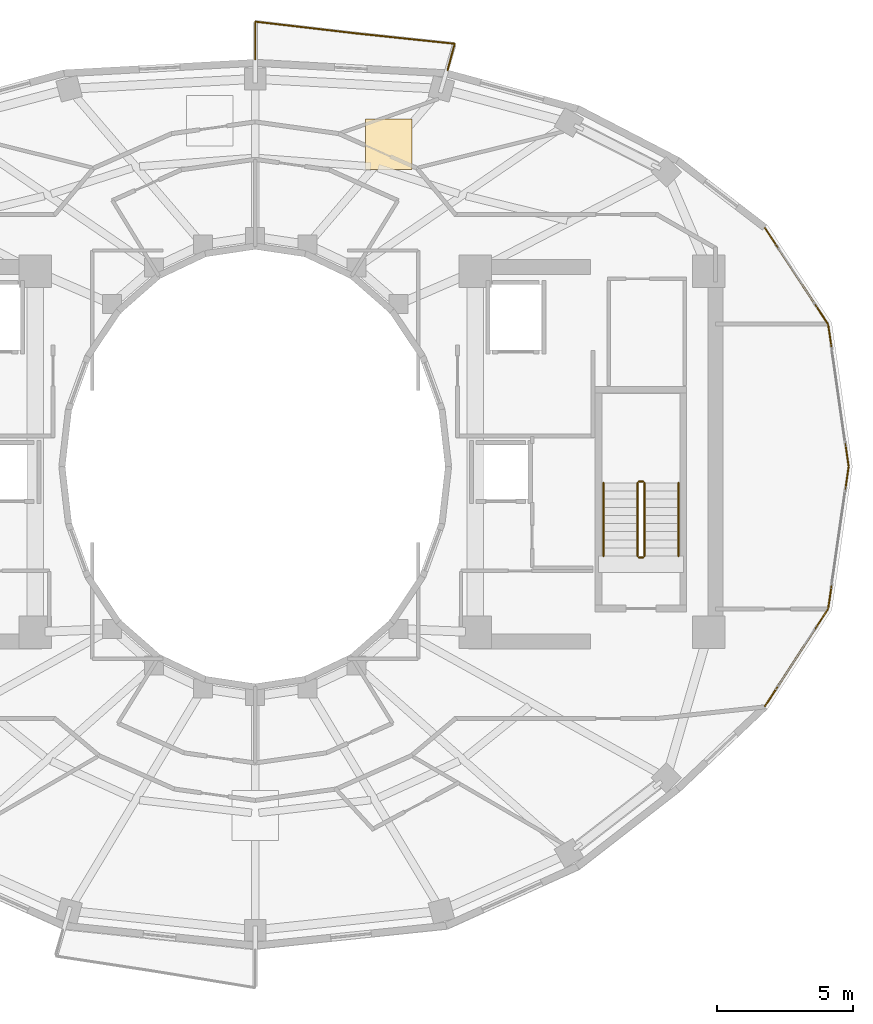
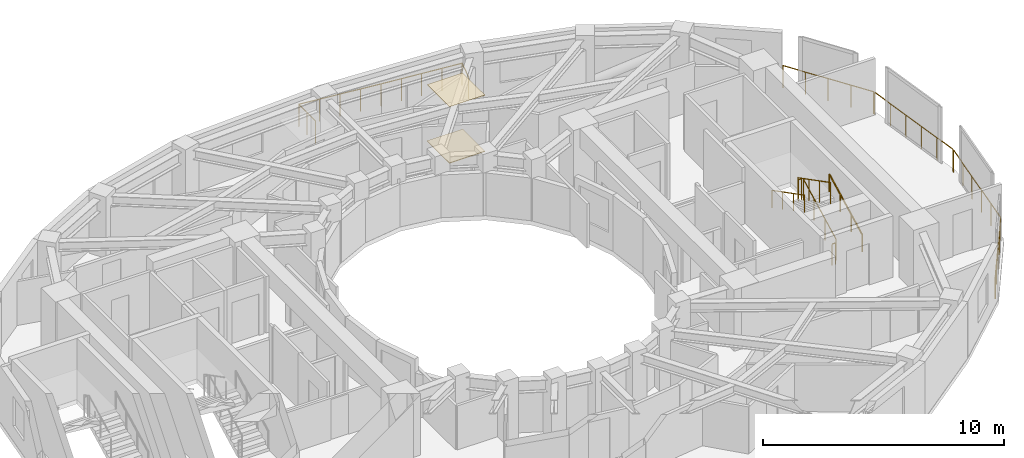
# One storey, part 12 of 12: 11 railings, 2 coverings.
"""IFC4 building model written with IfcOpenShell, lengths in metres."""

from ifc_helpers import new_model, si_unit, direction, frame, origin, origin_2d, place, context, subcontext, project, spatial, polyline, circle, outline, extrude, material, layer, layer_set, type_object, element, save


model = new_model("IFC4")

# Units and contexts
model_context = context("Model", 3, precision=1e-05, world=origin(), true_north=direction((0.0, 1.0)))
body_context = subcontext(model_context, "Body", "Model", "MODEL_VIEW")
ifc_project = project(units=[si_unit("LENGTHUNIT", "METRE"), si_unit("AREAUNIT", "SQUARE_METRE"), si_unit("VOLUMEUNIT", "CUBIC_METRE"), si_unit("PLANEANGLEUNIT", "RADIAN"), si_unit("MASSUNIT", "GRAM", prefix="KILO")], contexts=[model_context])

# Site, building, storey
site_placement = place(None, origin())
site = spatial("IfcSite", under=ifc_project, at=site_placement, CompositionType="ELEMENT")
building_placement = place(site_placement, origin())
building = spatial("IfcBuilding", under=site, at=building_placement, Name="Solvane Sanctuary Tower", CompositionType="ELEMENT")
storey_placement = place(building_placement, frame((0.0, 0.0, 214.0)))
storey = spatial("IfcBuildingStorey", under=building, at=storey_placement, Name="L65", CompositionType="ELEMENT", Elevation=214.0)

# Coverings
ifc_material_1 = material(Name="Acoustic Gypsum Partition Board")
ifc_layer_1 = layer(ifc_material_1, 0.02490234375, Name="Acoustic Gypsum Partition Board")
ifc_layer_set_1 = layer_set([ifc_layer_1], Name="Acoustic Gypsum Partition Board")
covering_type_1 = type_object("IfcCoveringType", Name="Covering CLG-ACOUST", PredefinedType="CEILING", material=ifc_layer_set_1)
covering_1_placement = place(storey_placement, frame((0.0, 0.0, 2.85009765625)))
element("IfcCovering", 1, at=covering_1_placement, inside=storey, type_object=covering_type_1, Name="L65 Unit Acoustic Ceiling Panel 1", PredefinedType="CEILING", context=body_context, shape_type="SweptSolid", body=[
    extrude(outline(polyline([(36.06689453125, 33.947021484375), (37.76708984375, 33.947021484375), (37.76708984375, 35.797119140625), (36.06689453125, 35.797119140625), (36.06689453125, 33.947021484375)])), origin(), (0.0, 0.0, 1.0), 0.02978515625),
])
ifc_material_2 = material(Name="Ceramic Tile Finish")
ifc_layer_2 = layer(ifc_material_2, 0.030029296875, Name="Ceramic Tile Finish")
ifc_layer_set_2 = layer_set([ifc_layer_2], Name="Ceramic Tile Finish")
covering_type_2 = type_object("IfcCoveringType", Name="Covering FLR-TERRAZZO", PredefinedType="FLOORING", material=ifc_layer_set_2)
covering_2_placement = place(storey_placement, origin())
element("IfcCovering", 2, at=covering_2_placement, inside=storey, type_object=covering_type_2, Name="L65 Unit Terrazzo Inlay 1", PredefinedType="FLOORING", context=body_context, shape_type="SweptSolid", body=[
    extrude(outline(polyline([(36.06689453125, 33.947021484375), (37.76708984375, 33.947021484375), (37.76708984375, 35.797119140625), (36.06689453125, 35.797119140625), (36.06689453125, 33.947021484375)])), origin(), (0.0, 0.0, 1.0), 0.034912109375),
])

# Railings
ifc_material_3 = material(Name="Architectural Stainless Steel 316", Category="steel")
railing_type_1 = type_object("IfcRailingType", Name="Railing GR-BALC-1150", PredefinedType="BALUSTRADE", material=ifc_material_3)
railing_1_placement = place(storey_placement, frame((53.855712890625, 23.02978515625, 0.0)))
element("IfcRailing", 3, at=railing_1_placement, inside=storey, type_object=railing_type_1, Name="L65 Curtain-Wall Perimeter Sill Guard 00", PredefinedType="BALUSTRADE", context=body_context, shape_type="SweptSolid", body=[
    extrude(circle(Radius=0.02392578125, at=origin_2d()), frame((0.0, 0.0, 1.1259765625), z_axis=(-0.142721073856, 0.989762948931, 0.0), x_axis=(-0.989762948931, -0.142721073856, 0.0)), (0.0, 0.0, 1.0), 5.232666015625),
    extrude(circle(Radius=0.02099609375, at=origin_2d()), origin(), (0.0, 0.0, 1.0), 1.101806640625),
    extrude(circle(Radius=0.02099609375, at=origin_2d()), frame((-0.1494140625, 1.035888671875, 0.0)), (0.0, 0.0, 1.0), 1.101806640625),
    extrude(circle(Radius=0.02099609375, at=origin_2d()), frame((-0.298828125, 2.07177734375, 0.0)), (0.0, 0.0, 1.0), 1.101806640625),
    extrude(circle(Radius=0.02099609375, at=origin_2d()), frame((-0.447998046875, 3.107421875, 0.0)), (0.0, 0.0, 1.0), 1.101806640625),
    extrude(circle(Radius=0.02099609375, at=origin_2d()), frame((-0.597412109375, 4.143310546875, 0.0)), (0.0, 0.0, 1.0), 1.101806640625),
    extrude(circle(Radius=0.02099609375, at=origin_2d()), frame((-0.746826171875, 5.17919921875, 0.0)), (0.0, 0.0, 1.0), 1.101806640625),
])
railing_2_placement = place(storey_placement, frame((53.088134765625, 28.263916015625, 0.0)))
element("IfcRailing", 4, at=railing_2_placement, inside=storey, type_object=railing_type_1, Name="L65 Curtain-Wall Perimeter Sill Guard 01", PredefinedType="BALUSTRADE", context=body_context, shape_type="SweptSolid", body=[
    extrude(circle(Radius=0.02392578125, at=origin_2d()), frame((0.0, 0.0, 1.1259765625), z_axis=(-0.548785614743, 0.83596312661, 0.0), x_axis=(-0.83596312661, -0.548785614743, 0.0)), (0.0, 0.0, 1.0), 4.210693359375),
    extrude(circle(Radius=0.02099609375, at=origin_2d()), origin(), (0.0, 0.0, 1.0), 1.101806640625),
    extrude(circle(Radius=0.02099609375, at=origin_2d()), frame((-0.57763671875, 0.8798828125, 0.0)), (0.0, 0.0, 1.0), 1.101806640625),
    extrude(circle(Radius=0.02099609375, at=origin_2d()), frame((-1.1552734375, 1.760009765625, 0.0)), (0.0, 0.0, 1.0), 1.101806640625),
    extrude(circle(Radius=0.02099609375, at=origin_2d()), frame((-1.733154296875, 2.64013671875, 0.0)), (0.0, 0.0, 1.0), 1.101806640625),
    extrude(circle(Radius=0.02099609375, at=origin_2d()), frame((-2.310791015625, 3.52001953125, 0.0)), (0.0, 0.0, 1.0), 1.101806640625),
])
railing_3_placement = place(storey_placement, frame((39.088134765625, 37.609375, 0.0)))
element("IfcRailing", 5, at=railing_3_placement, inside=storey, type_object=railing_type_1, Name="L65 Wave Balcony Balustrade NC", PredefinedType="BALUSTRADE", context=body_context, shape_type="SweptSolid", body=[
    extrude(circle(Radius=0.02392578125, at=origin_2d()), frame((0.0, 0.0, 1.1259765625), z_axis=(0.258695421716, 0.965958942597, 0.0), x_axis=(-0.965958942597, 0.258695421716, 0.0)), (0.0, 0.0, 1.0), 1.000244140625),
    extrude(circle(Radius=0.02392578125, at=origin_2d()), frame((0.2587890625, 0.96630859375, 1.1259765625), z_axis=(-0.994513102874, 0.104612084447, 0.0), x_axis=(-0.104612084447, -0.994513102874, 0.0)), (0.0, 0.0, 1.0), 3.671142578125),
    extrude(circle(Radius=0.02392578125, at=origin_2d()), frame((-3.39208984375, 1.350341796875, 1.1259765625), z_axis=(-0.993294945447, 0.115607747796, 0.0), x_axis=(-0.115607747796, -0.993294945447, 0.0)), (0.0, 0.0, 1.0), 3.720947265625),
    extrude(circle(Radius=0.02392578125, at=origin_2d()), frame((-7.088134765625, 1.780517578125, 1.1259765625), z_axis=(0.0, -1.0, 0.0), x_axis=(1.0, 0.0, 0.0)), (0.0, 0.0, 1.0), 1.389892578125),
    extrude(circle(Radius=0.02099609375, at=origin_2d()), origin(), (0.0, 0.0, 1.0), 1.101806640625),
    extrude(circle(Radius=0.02099609375, at=origin_2d()), frame((0.2587890625, 0.96630859375, 0.0)), (0.0, 0.0, 1.0), 1.101806640625),
    extrude(circle(Radius=0.02099609375, at=origin_2d()), frame((-0.65380859375, 1.062255859375, 0.0)), (0.0, 0.0, 1.0), 1.101806640625),
    extrude(circle(Radius=0.02099609375, at=origin_2d()), frame((-1.566650390625, 1.158203125, 0.0)), (0.0, 0.0, 1.0), 1.101806640625),
    extrude(circle(Radius=0.02099609375, at=origin_2d()), frame((-2.4794921875, 1.25439453125, 0.0)), (0.0, 0.0, 1.0), 1.101806640625),
    extrude(circle(Radius=0.02099609375, at=origin_2d()), frame((-3.39208984375, 1.350341796875, 0.0)), (0.0, 0.0, 1.0), 1.101806640625),
    extrude(circle(Radius=0.02099609375, at=origin_2d()), frame((-4.316162109375, 1.4580078125, 0.0)), (0.0, 0.0, 1.0), 1.101806640625),
    extrude(circle(Radius=0.02099609375, at=origin_2d()), frame((-5.240234375, 1.5654296875, 0.0)), (0.0, 0.0, 1.0), 1.101806640625),
    extrude(circle(Radius=0.02099609375, at=origin_2d()), frame((-6.1640625, 1.6728515625, 0.0)), (0.0, 0.0, 1.0), 1.101806640625),
    extrude(circle(Radius=0.02099609375, at=origin_2d()), frame((-7.088134765625, 1.780517578125, 0.0)), (0.0, 0.0, 1.0), 1.101806640625),
    extrude(circle(Radius=0.02099609375, at=origin_2d()), frame((-7.088134765625, 1.08544921875, 0.0)), (0.0, 0.0, 1.0), 1.101806640625),
    extrude(circle(Radius=0.02099609375, at=origin_2d()), frame((-7.088134765625, 0.390625, 0.0)), (0.0, 0.0, 1.0), 1.101806640625),
])
railing_4_placement = place(storey_placement, frame((50.777099609375, 14.17578125, 0.0)))
element("IfcRailing", 6, at=railing_4_placement, inside=storey, type_object=railing_type_1, Name="L65 Curtain-Wall Perimeter Sill Guard 22", PredefinedType="BALUSTRADE", context=body_context, shape_type="SweptSolid", body=[
    extrude(circle(Radius=0.02392578125, at=origin_2d()), frame((0.0, 0.0, 1.1259765625), z_axis=(0.544505084281, 0.838757541362, 0.0), x_axis=(-0.838757541362, 0.544505084281, 0.0)), (0.0, 0.0, 1.0), 4.24462890625),
    extrude(circle(Radius=0.02099609375, at=origin_2d()), origin(), (0.0, 0.0, 1.0), 1.101806640625),
    extrude(circle(Radius=0.02099609375, at=origin_2d()), frame((0.577880859375, 0.89013671875, 0.0)), (0.0, 0.0, 1.0), 1.101806640625),
    extrude(circle(Radius=0.02099609375, at=origin_2d()), frame((1.15576171875, 1.7802734375, 0.0)), (0.0, 0.0, 1.0), 1.101806640625),
    extrude(circle(Radius=0.02099609375, at=origin_2d()), frame((1.7333984375, 2.670166015625, 0.0)), (0.0, 0.0, 1.0), 1.101806640625),
    extrude(circle(Radius=0.02099609375, at=origin_2d()), frame((2.311279296875, 3.560302734375, 0.0)), (0.0, 0.0, 1.0), 1.101806640625),
])
railing_5_placement = place(storey_placement, frame((53.10888671875, 17.791015625, 0.0)))
element("IfcRailing", 7, at=railing_5_placement, inside=storey, type_object=railing_type_1, Name="L65 Curtain-Wall Perimeter Sill Guard 23", PredefinedType="BALUSTRADE", context=body_context, shape_type="SweptSolid", body=[
    extrude(circle(Radius=0.02392578125, at=origin_2d()), frame((0.0, 0.0, 1.1259765625), z_axis=(0.142721073856, 0.989762948931, 0.0), x_axis=(-0.989762948931, 0.142721073856, 0.0)), (0.0, 0.0, 1.0), 5.232666015625),
    extrude(circle(Radius=0.02099609375, at=origin_2d()), origin(), (0.0, 0.0, 1.0), 1.101806640625),
    extrude(circle(Radius=0.02099609375, at=origin_2d()), frame((0.1494140625, 1.035888671875, 0.0)), (0.0, 0.0, 1.0), 1.101806640625),
    extrude(circle(Radius=0.02099609375, at=origin_2d()), frame((0.298828125, 2.07177734375, 0.0)), (0.0, 0.0, 1.0), 1.101806640625),
    extrude(circle(Radius=0.02099609375, at=origin_2d()), frame((0.447998046875, 3.107421875, 0.0)), (0.0, 0.0, 1.0), 1.101806640625),
    extrude(circle(Radius=0.02099609375, at=origin_2d()), frame((0.597412109375, 4.143310546875, 0.0)), (0.0, 0.0, 1.0), 1.101806640625),
    extrude(circle(Radius=0.02099609375, at=origin_2d()), frame((0.746826171875, 5.17919921875, 0.0)), (0.0, 0.0, 1.0), 1.101806640625),
])
railing_6_placement = place(storey_placement, frame((46.340087890625, 19.699951171875, 0.155029296875)))
element("IfcRailing", 8, at=railing_6_placement, inside=storey, type_object=railing_type_1, Name="L65 ST-2 stair guard 1", PredefinedType="BALUSTRADE", context=body_context, shape_type="SweptSolid", body=[
    extrude(circle(Radius=0.02392578125, at=origin_2d()), frame((0.0, 0.0, 1.076171875), z_axis=(0.0, 0.888419900624, 0.459031676658), x_axis=(-1.0, 0.0, 0.0)), (0.0, 0.0, 1.0), 3.0390625),
    extrude(circle(Radius=0.02099609375, at=origin_2d()), origin(), (0.0, 0.0, 1.0), 1.052001953125),
    extrude(circle(Radius=0.02099609375, at=origin_2d()), frame((0.0, 0.89990234375, 0.465087890625)), (0.0, 0.0, 1.0), 1.052001953125),
    extrude(circle(Radius=0.02099609375, at=origin_2d()), frame((0.0, 1.800048828125, 0.929931640625)), (0.0, 0.0, 1.0), 1.052001953125),
    extrude(circle(Radius=0.02099609375, at=origin_2d()), frame((0.0, 2.699951171875, 1.39501953125)), (0.0, 0.0, 1.0), 1.052001953125),
])
railing_7_placement = place(storey_placement, frame((46.2900390625, 22.449951171875, 1.550048828125)))
element("IfcRailing", 9, at=railing_7_placement, inside=storey, type_object=railing_type_1, Name="L65 ST-2 stair guard 2", PredefinedType="BALUSTRADE", context=body_context, shape_type="SweptSolid", body=[
    extrude(circle(Radius=0.02392578125, at=origin_2d()), frame((0.0, 0.0, 1.076171875), z_axis=(-1.0, 0.0, 0.0), x_axis=(0.0, -1.0, 0.0)), (0.0, 0.0, 1.0), 0.16015625),
    extrude(circle(Radius=0.02099609375, at=origin_2d()), origin(), (0.0, 0.0, 1.0), 1.052001953125),
    extrude(circle(Radius=0.02099609375, at=origin_2d()), frame((-0.16015625, 0.0, 0.0)), (0.0, 0.0, 1.0), 1.052001953125),
])
railing_8_placement = place(storey_placement, frame((46.080078125, 22.39990234375, 1.705078125)))
element("IfcRailing", 10, at=railing_8_placement, inside=storey, type_object=railing_type_1, Name="L65 ST-2 stair guard 3", PredefinedType="BALUSTRADE", context=body_context, shape_type="SweptSolid", body=[
    extrude(circle(Radius=0.02392578125, at=origin_2d()), frame((0.0, 0.0, 1.076171875), z_axis=(0.0, -0.888419900624, 0.459031676658), x_axis=(1.0, 0.0, 0.0)), (0.0, 0.0, 1.0), 3.0390625),
    extrude(circle(Radius=0.02099609375, at=origin_2d()), origin(), (0.0, 0.0, 1.0), 1.052001953125),
    extrude(circle(Radius=0.02099609375, at=origin_2d()), frame((0.0, -0.89990234375, 0.465087890625)), (0.0, 0.0, 1.0), 1.052001953125),
    extrude(circle(Radius=0.02099609375, at=origin_2d()), frame((0.0, -1.800048828125, 0.929931640625)), (0.0, 0.0, 1.0), 1.052001953125),
    extrude(circle(Radius=0.02099609375, at=origin_2d()), frame((0.0, -2.699951171875, 1.39501953125)), (0.0, 0.0, 1.0), 1.052001953125),
])
railing_9_placement = place(storey_placement, frame((46.2900390625, 19.64990234375, 0.0)))
element("IfcRailing", 11, at=railing_9_placement, inside=storey, type_object=railing_type_1, Name="L65 ST-2 stair guard 4", PredefinedType="BALUSTRADE", context=body_context, shape_type="SweptSolid", body=[
    extrude(circle(Radius=0.02392578125, at=origin_2d()), frame((0.0, 0.0, 1.076171875), z_axis=(-1.0, 0.0, 0.0), x_axis=(0.0, -1.0, 0.0)), (0.0, 0.0, 1.0), 0.16015625),
    extrude(circle(Radius=0.02099609375, at=origin_2d()), origin(), (0.0, 0.0, 1.0), 1.052001953125),
    extrude(circle(Radius=0.02099609375, at=origin_2d()), frame((-0.16015625, 0.0, 0.0)), (0.0, 0.0, 1.0), 1.052001953125),
])
railing_type_2 = type_object("IfcRailingType", Name="Railing HR-STAIR-920", PredefinedType="HANDRAIL", material=ifc_material_3)
railing_10_placement = place(storey_placement, frame((47.590087890625, 19.699951171875, 0.155029296875)))
element("IfcRailing", 12, at=railing_10_placement, inside=storey, type_object=railing_type_2, Name="L65 ST-2 stair handrail 1", PredefinedType="HANDRAIL", context=body_context, shape_type="SweptSolid", body=[
    extrude(circle(Radius=0.02392578125, at=origin_2d()), frame((0.0, 0.0, 0.8759765625), z_axis=(0.0, 0.888419900624, 0.459031676658), x_axis=(-1.0, 0.0, 0.0)), (0.0, 0.0, 1.0), 3.0390625),
    extrude(circle(Radius=0.02099609375, at=origin_2d()), origin(), (0.0, 0.0, 1.0), 0.851806640625),
    extrude(circle(Radius=0.02099609375, at=origin_2d()), frame((0.0, 0.89990234375, 0.465087890625)), (0.0, 0.0, 1.0), 0.851806640625),
    extrude(circle(Radius=0.02099609375, at=origin_2d()), frame((0.0, 1.800048828125, 0.929931640625)), (0.0, 0.0, 1.0), 0.851806640625),
    extrude(circle(Radius=0.02099609375, at=origin_2d()), frame((0.0, 2.699951171875, 1.39501953125)), (0.0, 0.0, 1.0), 0.851806640625),
])
railing_11_placement = place(storey_placement, frame((44.830078125, 22.39990234375, 1.705078125)))
element("IfcRailing", 13, at=railing_11_placement, inside=storey, type_object=railing_type_2, Name="L65 ST-2 stair handrail 2", PredefinedType="HANDRAIL", context=body_context, shape_type="SweptSolid", body=[
    extrude(circle(Radius=0.02392578125, at=origin_2d()), frame((0.0, 0.0, 0.8759765625), z_axis=(0.0, -0.888419900624, 0.459031676658), x_axis=(1.0, 0.0, 0.0)), (0.0, 0.0, 1.0), 3.0390625),
    extrude(circle(Radius=0.02099609375, at=origin_2d()), origin(), (0.0, 0.0, 1.0), 0.851806640625),
    extrude(circle(Radius=0.02099609375, at=origin_2d()), frame((0.0, -0.89990234375, 0.465087890625)), (0.0, 0.0, 1.0), 0.851806640625),
    extrude(circle(Radius=0.02099609375, at=origin_2d()), frame((0.0, -1.800048828125, 0.929931640625)), (0.0, 0.0, 1.0), 0.851806640625),
    extrude(circle(Radius=0.02099609375, at=origin_2d()), frame((0.0, -2.699951171875, 1.39501953125)), (0.0, 0.0, 1.0), 0.851806640625),
])

save(model, "model.ifc")
